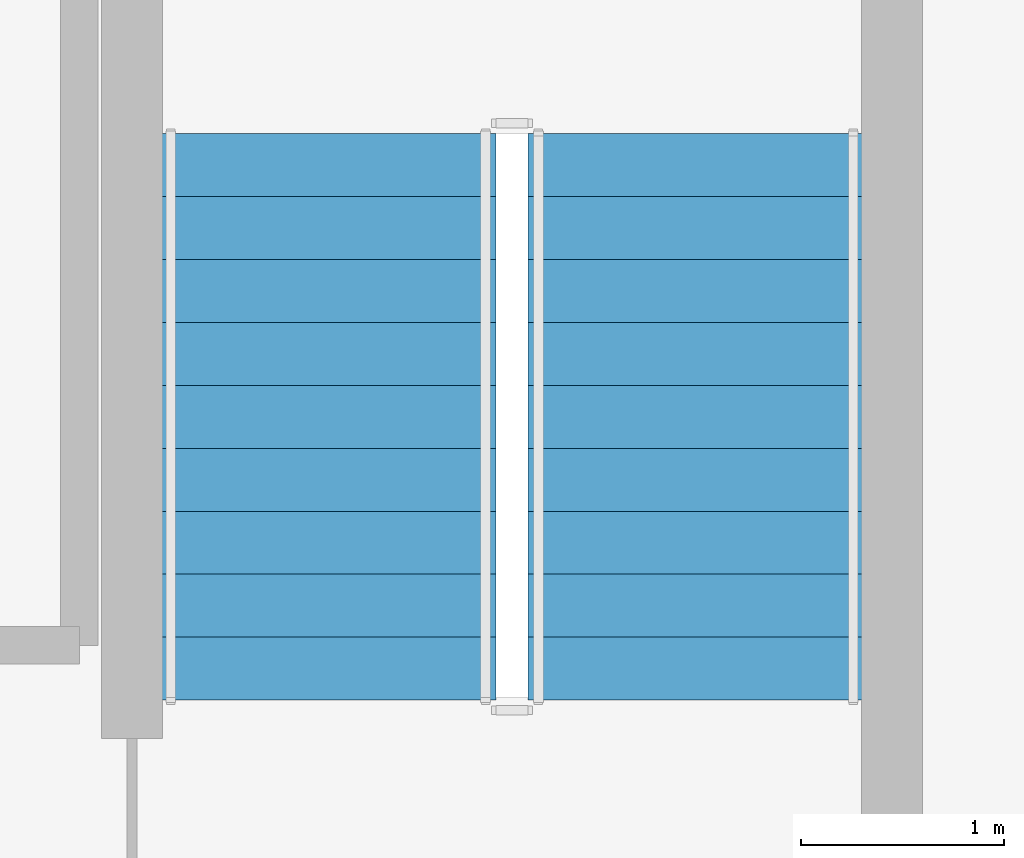
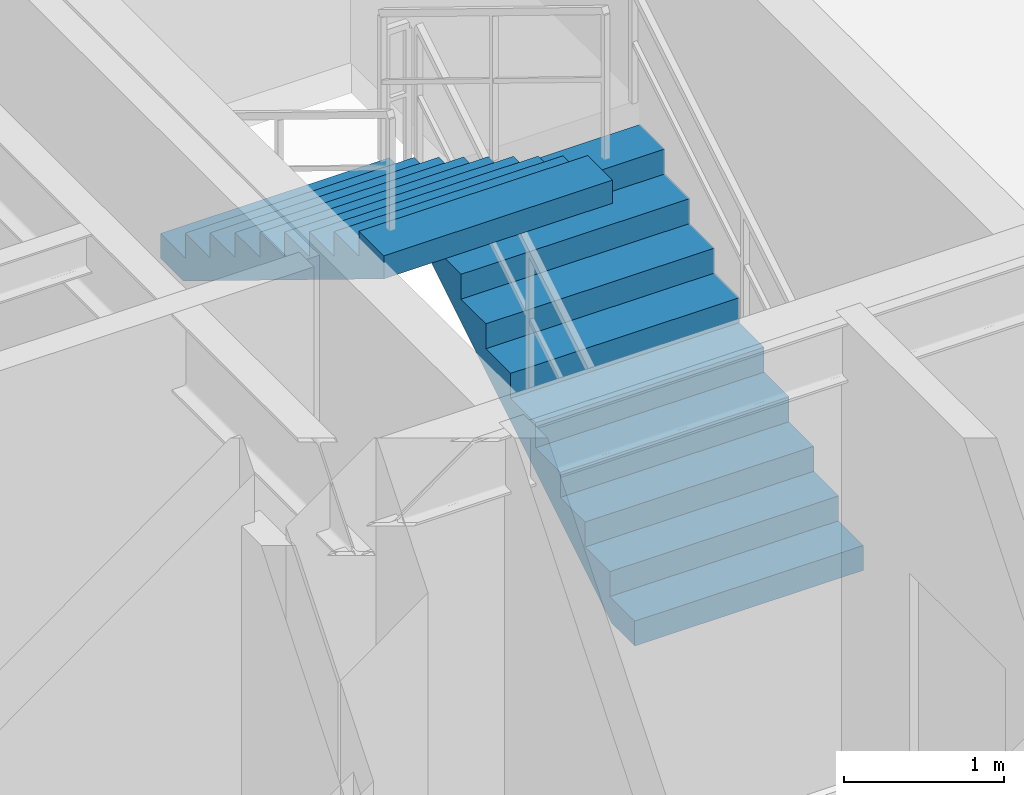
# One storey, part 6 of 9: 2 stair flights, 1 element without a shape of its own.
"""IFC4 building model written with IfcOpenShell, lengths in metres."""

from ifc_helpers import new_model, si_unit, direction, frame, origin, place, context, subcontext, project, spatial, polyline, outline, extrude, material, type_object, element, aggregate, save


model = new_model("IFC4")

# Units and contexts
model_context = context("Model", 3, precision=1e-05, world=origin(), true_north=direction((0.0, 1.0)))
body_context = subcontext(model_context, "Body", "Model", "MODEL_VIEW")
ifc_project = project(units=[si_unit("LENGTHUNIT", "METRE"), si_unit("AREAUNIT", "SQUARE_METRE"), si_unit("VOLUMEUNIT", "CUBIC_METRE"), si_unit("PLANEANGLEUNIT", "RADIAN"), si_unit("MASSUNIT", "GRAM", prefix="KILO")], contexts=[model_context])

# Site, building, storey
site_placement = place(None, origin())
site = spatial("IfcSite", under=ifc_project, at=site_placement, CompositionType="ELEMENT")
building_placement = place(site_placement, origin())
building = spatial("IfcBuilding", under=site, at=building_placement, Name="Kundavana Baori Tower", CompositionType="ELEMENT")
storey_placement = place(building_placement, frame((0.0, 0.0, 335.300048828125)))
storey = spatial("IfcBuildingStorey", under=building, at=storey_placement, Name="L83", CompositionType="ELEMENT", Elevation=335.300048828125)

# Stair, stair flights
ifc_material_1 = material(Name="Concrete C40/50", Category="concrete")
stair_type = type_object("IfcStairType", Name="STR-DOG-1650", PredefinedType="HALF_TURN_STAIR", material=ifc_material_1)
stair_placement = place(storey_placement, origin())
stair = element("IfcStair", 1, at=stair_placement, inside=storey, type_object=stair_type, Name="L83 Protected Exit Stair ST3", PredefinedType="HALF_TURN_STAIR")
ifc_material_2 = material(Name="Concrete C40/50", Category="concrete")
stair_flight_type = type_object("IfcStairFlightType", Name="SFL-RC-1650", PredefinedType="STRAIGHT", material=ifc_material_2)
stair_flight_1_placement = place(storey_placement, frame((37.7548828125, 34.949951171875, 0.0), z_axis=(0.0, 0.0, 1.0), x_axis=(0.0, 1.0, 0.0)))
stair_flight_1 = element("IfcStairFlight", 2, at=stair_flight_1_placement, type_object=stair_flight_type, Name="ST3 flight 1", NumberOfRisers=10, NumberOfTreads=9, PredefinedType="STRAIGHT", RiserHeight=0.19, TreadLength=0.31, context=body_context, shape_type="SweptSolid", body=[
    extrude(outline(polyline([(0.0, 0.0), (0.0, 0.18994140625), (0.31005859375, 0.18994140625), (0.31005859375, 0.3798828125), (0.6201171875, 0.3798828125), (0.6201171875, 0.570068359375), (0.929931640625, 0.570068359375), (0.929931640625, 0.760009765625), (1.239990234375, 0.760009765625), (1.239990234375, 0.949951171875), (1.550048828125, 0.949951171875), (1.550048828125, 1.139892578125), (1.860107421875, 1.139892578125), (1.860107421875, 1.330078125), (2.169921875, 1.330078125), (2.169921875, 1.52001953125), (2.47998046875, 1.52001953125), (2.47998046875, 1.7099609375), (2.7900390625, 1.7099609375), (2.7900390625, 1.89990234375), (2.7900390625, 1.5341796875), (0.286865234375, 0.0), (0.0, 0.0)])), frame((0.0, 0.824951171875, 0.0), z_axis=(0.0, -1.0, 0.0), x_axis=(1.0, 0.0, 0.0)), (0.0, 0.0, 1.0), 1.64990234375),
])
stair_flight_2_placement = place(storey_placement, frame((35.945068359375, 37.739990234375, 1.89990234375), z_axis=(0.0, 0.0, 1.0), x_axis=(0.0, -1.0, 0.0)))
stair_flight_2 = element("IfcStairFlight", 3, at=stair_flight_2_placement, type_object=stair_flight_type, Name="ST3 flight 2", NumberOfRisers=10, NumberOfTreads=9, PredefinedType="STRAIGHT", RiserHeight=0.19, TreadLength=0.31, context=body_context, shape_type="SweptSolid", body=[
    extrude(outline(polyline([(0.0, 0.0), (0.0, 0.18994140625), (0.31005859375, 0.18994140625), (0.31005859375, 0.3798828125), (0.6201171875, 0.3798828125), (0.6201171875, 0.570068359375), (0.929931640625, 0.570068359375), (0.929931640625, 0.760009765625), (1.239990234375, 0.760009765625), (1.239990234375, 0.949951171875), (1.550048828125, 0.949951171875), (1.550048828125, 1.139892578125), (1.860107421875, 1.139892578125), (1.860107421875, 1.330078125), (2.169921875, 1.330078125), (2.169921875, 1.52001953125), (2.47998046875, 1.52001953125), (2.47998046875, 1.7099609375), (2.7900390625, 1.7099609375), (2.7900390625, 1.89990234375), (2.7900390625, 1.5341796875), (0.286865234375, 0.0), (0.0, 0.0)])), frame((0.0, 0.824951171875, 0.0), z_axis=(0.0, -1.0, 0.0), x_axis=(1.0, 0.0, 0.0)), (0.0, 0.0, 1.0), 1.64990234375),
])
aggregate(stair, [stair_flight_1, stair_flight_2])

save(model, "model.ifc")
